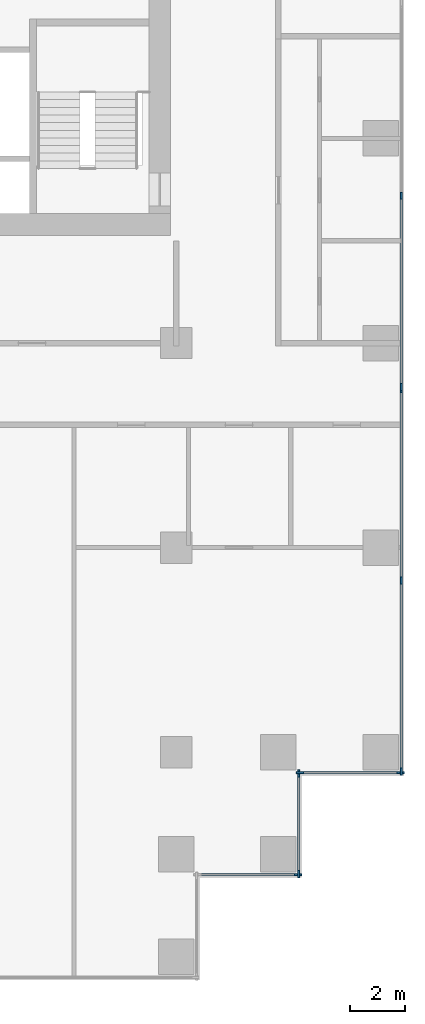
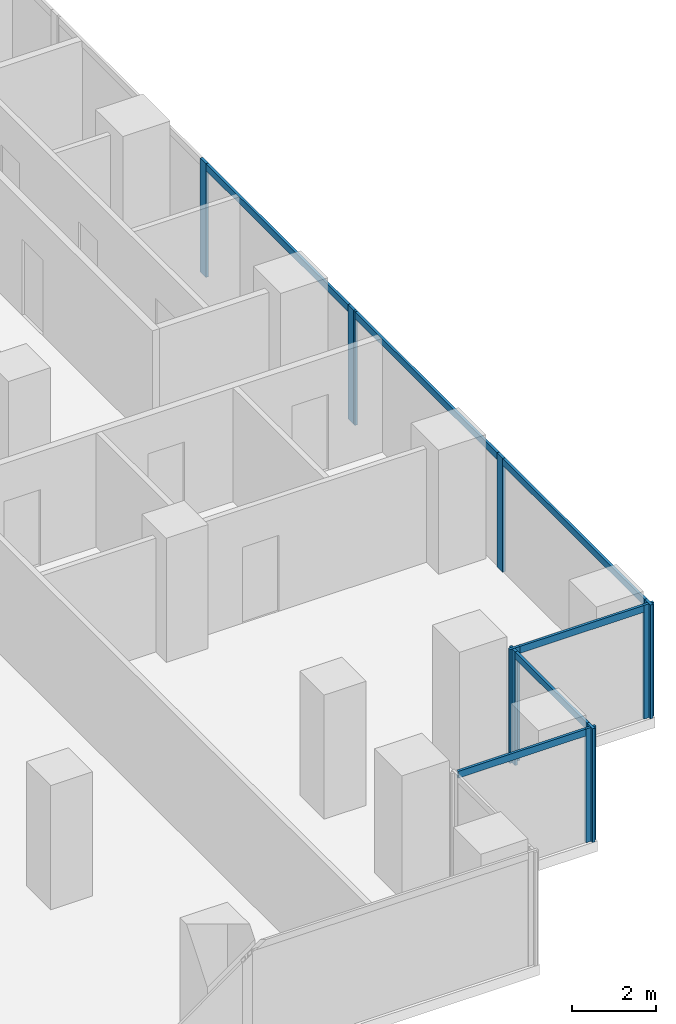
# One storey, part 3 of 10: 16 members, 5 elements without a shape of their own.
"""IFC4 building model written with IfcOpenShell, lengths in metres."""

from ifc_helpers import new_model, si_unit, direction, frame, origin, origin_2d, place, context, subcontext, project, spatial, rectangle, extrude, material, material_profile, profile_set, type_object, element, aggregate, save


model = new_model("IFC4")

# Units and contexts
model_context = context("Model", 3, precision=1e-05, world=origin(), true_north=direction((0.0, 1.0)))
body_context = subcontext(model_context, "Body", "Model", "MODEL_VIEW")
ifc_project = project(units=[si_unit("LENGTHUNIT", "METRE"), si_unit("AREAUNIT", "SQUARE_METRE"), si_unit("VOLUMEUNIT", "CUBIC_METRE"), si_unit("PLANEANGLEUNIT", "RADIAN"), si_unit("MASSUNIT", "GRAM", prefix="KILO")], contexts=[model_context])

# Site, building, storey
site_placement = place(None, origin())
site = spatial("IfcSite", under=ifc_project, at=site_placement, CompositionType="ELEMENT")
building_placement = place(site_placement, origin())
building = spatial("IfcBuilding", under=site, at=building_placement, Name="Pilkhan Gate Tower", CompositionType="ELEMENT")
storey_placement = place(building_placement, frame((0.0, 0.0, 114.39990234375)))
storey = spatial("IfcBuildingStorey", under=building, at=storey_placement, Name="L28", CompositionType="ELEMENT", Elevation=114.39990234375)

# Curtain wall, members
ifc_material_1 = material(Name="Pale anodised aluminium, clear low-iron double glazing", Category="aluminium")
curtain_wall_type = type_object("IfcCurtainWallType", Name="Office unitised curtain wall CW-O1", PredefinedType="USERDEFINED", material=ifc_material_1)
curtain_wall_1_placement = place(storey_placement, origin())
curtain_wall_1 = element("IfcCurtainWall", 1, at=curtain_wall_1_placement, inside=storey, type_object=curtain_wall_type, Name="Office unitised curtain wall CW-O1 L28 E", ObjectType="UNITISED CURTAIN WALL", PredefinedType="USERDEFINED")
ifc_material_2 = material(Name="Pale anodised aluminium", Category="aluminium")
ifc_material_profile_1 = material_profile(ifc_material_2, rectangle(XDim=0.070068359375, YDim=0.27490234375, at=origin_2d()), Name="Mullion 275x70")
ifc_profile_set_1 = profile_set([ifc_material_profile_1], Name="Pale anodised aluminium")
member_type_1 = type_object("IfcMemberType", Name="Mullion CW-O1 275x70", PredefinedType="MULLION", material=ifc_profile_set_1)
member_1_placement = place(storey_placement, frame((98.25, 51.784912109375, 0.0), z_axis=(0.0, 0.0, 1.0), x_axis=(-1.0, 0.0, 0.0)))
member_1 = element("IfcMember", 2, at=member_1_placement, type_object=member_type_1, Name="CW-O1 mullion 1", PredefinedType="MULLION", context=body_context, shape_type="SweptSolid", body=[
    extrude(rectangle(XDim=0.070068359375, YDim=0.27490234375, at=origin_2d()), origin(), (0.0, 0.0, 1.0), 3.300048828125),
])
member_2_placement = place(storey_placement, frame((98.25, 58.800048828125, 0.0), z_axis=(0.0, 0.0, 1.0), x_axis=(-1.0, 0.0, 0.0)))
member_2 = element("IfcMember", 3, at=member_2_placement, type_object=member_type_1, Name="CW-O1 mullion 2", PredefinedType="MULLION", context=body_context, shape_type="SweptSolid", body=[
    extrude(rectangle(XDim=0.070068359375, YDim=0.27490234375, at=origin_2d()), origin(), (0.0, 0.0, 1.0), 3.300048828125),
])
member_3_placement = place(storey_placement, frame((98.25, 65.81494140625, 0.0), z_axis=(0.0, 0.0, 1.0), x_axis=(-1.0, 0.0, 0.0)))
member_3 = element("IfcMember", 4, at=member_3_placement, type_object=member_type_1, Name="CW-O1 mullion 3", PredefinedType="MULLION", context=body_context, shape_type="SweptSolid", body=[
    extrude(rectangle(XDim=0.070068359375, YDim=0.27490234375, at=origin_2d()), origin(), (0.0, 0.0, 1.0), 3.300048828125),
])

curtain_wall_2_placement = place(storey_placement, origin())
curtain_wall_2 = element("IfcCurtainWall", 5, at=curtain_wall_2_placement, inside=storey, type_object=curtain_wall_type, Name="Office unitised curtain wall CW-O1 L28 E", ObjectType="UNITISED CURTAIN WALL", PredefinedType="USERDEFINED")
member_4_placement = place(storey_placement, frame((98.25, 65.885009765625, 0.0), z_axis=(0.0, 0.0, 1.0), x_axis=(-1.0, 0.0, 0.0)))
member_4 = element("IfcMember", 6, at=member_4_placement, type_object=member_type_1, Name="CW-O1 mullion 1", PredefinedType="MULLION", context=body_context, shape_type="SweptSolid", body=[
    extrude(rectangle(XDim=0.070068359375, YDim=0.27490234375, at=origin_2d()), origin(), (0.0, 0.0, 1.0), 3.300048828125),
])
member_5_placement = place(storey_placement, frame((98.25, 72.89990234375, 0.0), z_axis=(0.0, 0.0, 1.0), x_axis=(-1.0, 0.0, 0.0)))
member_5 = element("IfcMember", 7, at=member_5_placement, type_object=member_type_1, Name="CW-O1 mullion 2", PredefinedType="MULLION", context=body_context, shape_type="SweptSolid", body=[
    extrude(rectangle(XDim=0.070068359375, YDim=0.27490234375, at=origin_2d()), origin(), (0.0, 0.0, 1.0), 3.300048828125),
])

# Curtain wall, member
curtain_wall_3_placement = place(storey_placement, origin())
curtain_wall_3 = element("IfcCurtainWall", 8, at=curtain_wall_3_placement, inside=storey, type_object=curtain_wall_type, Name="Office unitised curtain wall CW-O1 L28 S", ObjectType="UNITISED CURTAIN WALL", PredefinedType="USERDEFINED")
member_6_placement = place(storey_placement, frame((94.465087890625, 48.0, 0.0), z_axis=(0.0, 0.0, 1.0), x_axis=(0.0, 1.0, 0.0)))
member_6 = element("IfcMember", 9, at=member_6_placement, type_object=member_type_1, Name="CW-O1 mullion 2", PredefinedType="MULLION", context=body_context, shape_type="SweptSolid", body=[
    extrude(rectangle(XDim=0.070068359375, YDim=0.27490234375, at=origin_2d()), origin(), (0.0, 0.0, 1.0), 3.300048828125),
])

# Curtain wall, members
curtain_wall_4_placement = place(storey_placement, origin())
curtain_wall_4 = element("IfcCurtainWall", 10, at=curtain_wall_4_placement, inside=storey, type_object=curtain_wall_type, Name="Office unitised curtain wall CW-O1 L28 E", ObjectType="UNITISED CURTAIN WALL", PredefinedType="USERDEFINED")
member_7_placement = place(storey_placement, frame((94.5, 48.034912109375, 0.0), z_axis=(0.0, 0.0, 1.0), x_axis=(-1.0, 0.0, 0.0)))
member_7 = element("IfcMember", 11, at=member_7_placement, type_object=member_type_1, Name="CW-O1 mullion 1", PredefinedType="MULLION", context=body_context, shape_type="SweptSolid", body=[
    extrude(rectangle(XDim=0.070068359375, YDim=0.27490234375, at=origin_2d()), origin(), (0.0, 0.0, 1.0), 3.300048828125),
])
member_8_placement = place(storey_placement, frame((94.5, 51.715087890625, 0.0), z_axis=(0.0, 0.0, 1.0), x_axis=(-1.0, 0.0, 0.0)))
member_8 = element("IfcMember", 12, at=member_8_placement, type_object=member_type_1, Name="CW-O1 mullion 2", PredefinedType="MULLION", context=body_context, shape_type="SweptSolid", body=[
    extrude(rectangle(XDim=0.070068359375, YDim=0.27490234375, at=origin_2d()), origin(), (0.0, 0.0, 1.0), 3.300048828125),
])

curtain_wall_5_placement = place(storey_placement, origin())
curtain_wall_5 = element("IfcCurtainWall", 13, at=curtain_wall_5_placement, inside=storey, type_object=curtain_wall_type, Name="Office unitised curtain wall CW-O1 L28 S", ObjectType="UNITISED CURTAIN WALL", PredefinedType="USERDEFINED")
member_9_placement = place(storey_placement, frame((94.534912109375, 51.75, 0.0), z_axis=(0.0, 0.0, 1.0), x_axis=(0.0, 1.0, 0.0)))
member_9 = element("IfcMember", 14, at=member_9_placement, type_object=member_type_1, Name="CW-O1 mullion 1", PredefinedType="MULLION", context=body_context, shape_type="SweptSolid", body=[
    extrude(rectangle(XDim=0.070068359375, YDim=0.27490234375, at=origin_2d()), origin(), (0.0, 0.0, 1.0), 3.300048828125),
])
member_10_placement = place(storey_placement, frame((98.215087890625, 51.75, 0.0), z_axis=(0.0, 0.0, 1.0), x_axis=(0.0, 1.0, 0.0)))
member_10 = element("IfcMember", 15, at=member_10_placement, type_object=member_type_1, Name="CW-O1 mullion 2", PredefinedType="MULLION", context=body_context, shape_type="SweptSolid", body=[
    extrude(rectangle(XDim=0.070068359375, YDim=0.27490234375, at=origin_2d()), origin(), (0.0, 0.0, 1.0), 3.300048828125),
])

# Member
ifc_material_profile_2 = material_profile(ifc_material_2, rectangle(XDim=0.070068359375, YDim=0.199951171875, at=origin_2d()), Name="Transom 200x70")
ifc_profile_set_2 = profile_set([ifc_material_profile_2], Name="Pale anodised aluminium")
member_type_2 = type_object("IfcMemberType", Name="Transom CW-O1 200x70", PredefinedType="USERDEFINED", material=ifc_profile_set_2)
member_11_placement = place(storey_placement, frame((98.25, 51.820068359375, 3.2001953125), z_axis=(0.0, 1.0, 0.0), x_axis=(-1.0, 0.0, 0.0)))
member_11 = element("IfcMember", 16, at=member_11_placement, type_object=member_type_2, Name="CW-O1 transom 1", ObjectType="TRANSOM", PredefinedType="USERDEFINED", context=body_context, shape_type="SweptSolid", body=[
    extrude(rectangle(XDim=0.070068359375, YDim=0.199951171875, at=origin_2d()), origin(), (0.0, 0.0, 1.0), 6.94482421875),
])

member_12_placement = place(storey_placement, frame((98.25, 58.8349609375, 3.2001953125), z_axis=(0.0, 1.0, 0.0), x_axis=(-1.0, 0.0, 0.0)))
member_12 = element("IfcMember", 17, at=member_12_placement, type_object=member_type_2, Name="CW-O1 transom 2", ObjectType="TRANSOM", PredefinedType="USERDEFINED", context=body_context, shape_type="SweptSolid", body=[
    extrude(rectangle(XDim=0.070068359375, YDim=0.199951171875, at=origin_2d()), origin(), (0.0, 0.0, 1.0), 6.945068359375),
])

aggregate(curtain_wall_1, [member_1, member_2, member_3, member_11, member_12])

member_13_placement = place(storey_placement, frame((98.25, 65.919921875, 3.2001953125), z_axis=(0.0, 1.0, 0.0), x_axis=(-1.0, 0.0, 0.0)))
member_13 = element("IfcMember", 18, at=member_13_placement, type_object=member_type_2, Name="CW-O1 transom 1", ObjectType="TRANSOM", PredefinedType="USERDEFINED", context=body_context, shape_type="SweptSolid", body=[
    extrude(rectangle(XDim=0.070068359375, YDim=0.199951171875, at=origin_2d()), origin(), (0.0, 0.0, 1.0), 6.945068359375),
])

aggregate(curtain_wall_2, [member_4, member_5, member_13])

member_14_placement = place(storey_placement, frame((90.820068359375, 48.0, 3.2001953125), z_axis=(1.0, 0.0, 0.0), x_axis=(0.0, 1.0, 0.0)))
member_14 = element("IfcMember", 19, at=member_14_placement, type_object=member_type_2, Name="CW-O1 transom 1", ObjectType="TRANSOM", PredefinedType="USERDEFINED", context=body_context, shape_type="SweptSolid", body=[
    extrude(rectangle(XDim=0.070068359375, YDim=0.199951171875, at=origin_2d()), origin(), (0.0, 0.0, 1.0), 3.60986328125),
])

aggregate(curtain_wall_3, [member_6, member_14])

member_15_placement = place(storey_placement, frame((94.5, 48.070068359375, 3.2001953125), z_axis=(0.0, 1.0, 0.0), x_axis=(-1.0, 0.0, 0.0)))
member_15 = element("IfcMember", 20, at=member_15_placement, type_object=member_type_2, Name="CW-O1 transom 1", ObjectType="TRANSOM", PredefinedType="USERDEFINED", context=body_context, shape_type="SweptSolid", body=[
    extrude(rectangle(XDim=0.070068359375, YDim=0.199951171875, at=origin_2d()), origin(), (0.0, 0.0, 1.0), 3.60986328125),
])

aggregate(curtain_wall_4, [member_7, member_8, member_15])

member_16_placement = place(storey_placement, frame((94.570068359375, 51.75, 3.2001953125), z_axis=(1.0, 0.0, 0.0), x_axis=(0.0, 1.0, 0.0)))
member_16 = element("IfcMember", 21, at=member_16_placement, type_object=member_type_2, Name="CW-O1 transom 1", ObjectType="TRANSOM", PredefinedType="USERDEFINED", context=body_context, shape_type="SweptSolid", body=[
    extrude(rectangle(XDim=0.070068359375, YDim=0.199951171875, at=origin_2d()), origin(), (0.0, 0.0, 1.0), 3.60986328125),
])

aggregate(curtain_wall_5, [member_9, member_10, member_16])

save(model, "model.ifc")
